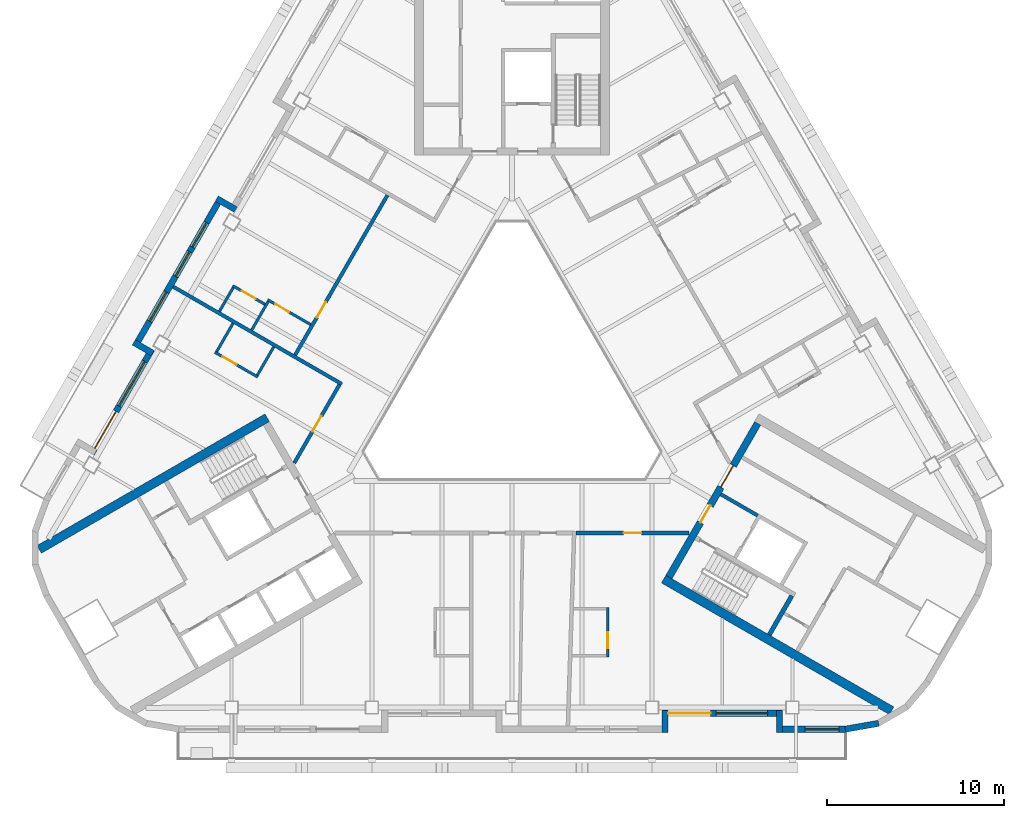
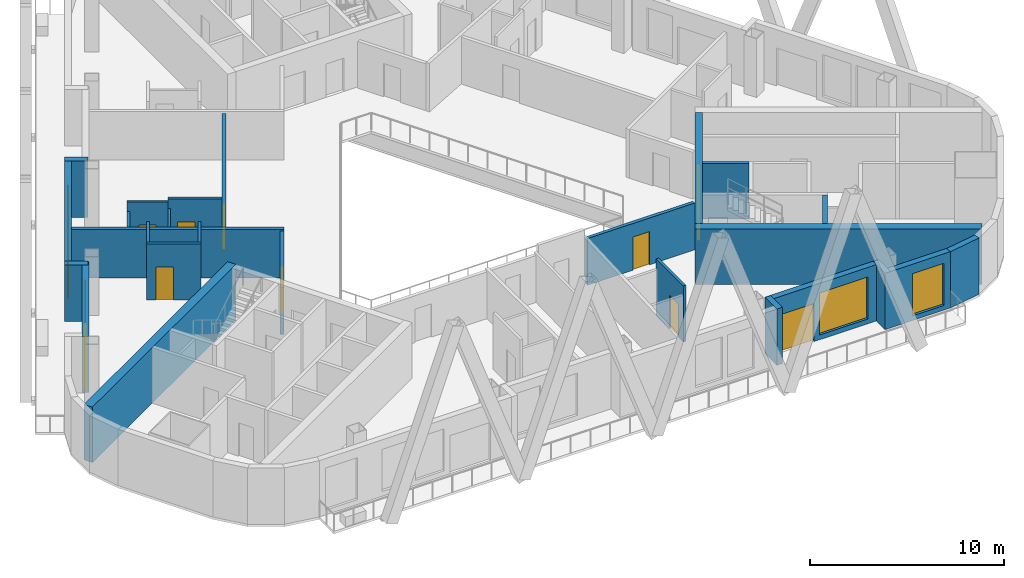
# One storey, part 4 of 14: 26 walls, 11 doors, 6 windows, 17 openings.
"""IFC4 building model written with IfcOpenShell, lengths in metres."""

from ifc_helpers import new_model, si_unit, direction, frame, frame_2d, origin, place, context, subcontext, project, spatial, rectangle, extrude, material, layer, layer_set, type_object, element, fill, save


model = new_model("IFC4")

# Units and contexts
model_context = context("Model", 3, precision=1e-05, world=origin(), true_north=direction((0.0, 1.0)))
body_context = subcontext(model_context, "Body", "Model", "MODEL_VIEW")
ifc_project = project(units=[si_unit("LENGTHUNIT", "METRE"), si_unit("AREAUNIT", "SQUARE_METRE"), si_unit("VOLUMEUNIT", "CUBIC_METRE"), si_unit("PLANEANGLEUNIT", "RADIAN"), si_unit("MASSUNIT", "GRAM", prefix="KILO")], contexts=[model_context])

# Site, building, storey
site_placement = place(None, origin())
site = spatial("IfcSite", under=ifc_project, at=site_placement, CompositionType="ELEMENT")
building_placement = place(site_placement, origin())
building = spatial("IfcBuilding", under=site, at=building_placement, Name="Apuvela Tower Hotel", CompositionType="ELEMENT")
storey_placement = place(building_placement, frame((0.0, 0.0, 213.199951171875)))
storey = spatial("IfcBuildingStorey", under=building, at=storey_placement, Name="L52", CompositionType="ELEMENT", Elevation=213.199951171875)

# Wall, openings, doors
ifc_material_1 = material(Name="Concrete C50/60", Category="concrete")
ifc_layer_1 = layer(ifc_material_1, 0.39990234375)
ifc_layer_set_1 = layer_set([ifc_layer_1], Name="COR-WALL-CORE-400")
wall_type_1 = type_object("IfcWallType", Name="COR-WALL-CORE-400", PredefinedType="SHEAR", material=ifc_layer_set_1)
wall_1_placement = place(storey_placement, frame((8.844970703125, -10.880126953125, 0.0), z_axis=(0.0, 0.0, 1.0), x_axis=(0.500004234368, 0.866022959057, 0.0)))
wall_1 = element("IfcWall", 1, at=wall_1_placement, inside=storey, type_object=wall_type_1, Name="Core wall SE", PredefinedType="SHEAR", context=body_context, shape_type="SweptSolid", body=[
    extrude(rectangle(XDim=10.0, YDim=0.39990234375, at=frame_2d((5.0, 0.0))), origin(), (0.0, 0.0, 1.0), 3.5),
])
opening_1_placement = place(wall_1_placement, frame((3.550048828125, 0.0, 0.0)))
opening_1 = element("IfcOpeningElement", 2, at=opening_1_placement, cuts=wall_1, Name="Opening E-FD", PredefinedType="OPENING", context=body_context, shape_type="SweptSolid", body=[
    extrude(rectangle(XDim=1.10009765625, YDim=2.10009765625, at=frame_2d((0.550048828125, 1.050048828125))), frame((0.0, 0.2099609375, 0.0), z_axis=(0.0, -1.0, 0.0), x_axis=(1.0, 0.0, 0.0)), (0.0, 0.0, 1.0), 0.419921875),
])
opening_2_placement = place(wall_1_placement, frame((5.85009765625, 0.0, 0.0)))
opening_2 = element("IfcOpeningElement", 3, at=opening_2_placement, cuts=wall_1, Name="Opening E-GD", PredefinedType="OPENING", context=body_context, shape_type="SweptSolid", body=[
    extrude(rectangle(XDim=1.39990234375, YDim=2.10009765625, at=frame_2d((0.699951171875, 1.050048828125))), frame((0.0, 0.2099609375, 0.0), z_axis=(0.0, -1.0, 0.0), x_axis=(1.0, 0.0, 0.0)), (0.0, 0.0, 1.0), 0.419921875),
])
ifc_material_2 = material(Name="Steel fire door, powder coated", Category="steel")
door_type_1 = type_object("IfcDoorType", Name="COR-FD-1100", OperationType="NOTDEFINED", PredefinedType="DOOR", material=ifc_material_2)
door_1_placement = place(opening_1_placement, frame((1.10009765625, 0.0, 0.0), z_axis=(0.0, 0.0, 1.0), x_axis=(-1.0, 0.0, 0.0)))
door_1 = element("IfcDoor", 4, at=door_1_placement, inside=storey, type_object=door_type_1, Name="Firefighting lobby door E-FD", OperationType="SINGLE_SWING_LEFT", OverallHeight=2.10009765625, OverallWidth=1.10009765625, PredefinedType="DOOR", context=body_context, shape_type="SweptSolid", body=[
    extrude(rectangle(XDim=1.10009765625, YDim=2.10009765625, at=frame_2d((0.550048828125, 1.050048828125))), frame((0.0, 0.02490234375, 0.0), z_axis=(0.0, -1.0, 0.0), x_axis=(1.0, 0.0, 0.0)), (0.0, 0.0, 1.0), 0.050048828125),
])
fill(opening_1, door_1)
ifc_material_3 = material(Name="Glazed steel fire door", Category="steel")
door_type_2 = type_object("IfcDoorType", Name="COR-GD-1400", OperationType="DOUBLE_DOOR_SINGLE_SWING", PredefinedType="DOOR", material=ifc_material_3)
door_2_placement = place(opening_2_placement, frame((1.39990234375, 0.0, 0.0), z_axis=(0.0, 0.0, 1.0), x_axis=(-1.0, 0.0, 0.0)))
door_2 = element("IfcDoor", 5, at=door_2_placement, inside=storey, type_object=door_type_2, Name="Lift lobby door E-GD", OperationType="DOUBLE_DOOR_SINGLE_SWING", OverallHeight=2.10009765625, OverallWidth=1.39990234375, PredefinedType="DOOR", context=body_context, shape_type="SweptSolid", body=[
    extrude(rectangle(XDim=1.39990234375, YDim=2.10009765625, at=frame_2d((0.699951171875, 1.050048828125))), frame((0.0, 0.02490234375, 0.0), z_axis=(0.0, -1.0, 0.0), x_axis=(1.0, 0.0, 0.0)), (0.0, 0.0, 1.0), 0.050048828125),
])
fill(opening_2, door_2)

# Walls
ifc_layer_2 = layer(ifc_material_1, 0.5)
ifc_layer_set_2 = layer_set([ifc_layer_2], Name="COR-WALL-CORE-500")
wall_type_2 = type_object("IfcWallType", Name="COR-WALL-CORE-500", PredefinedType="SHEAR", material=ifc_layer_set_2)
for number, where, z_axis, x_axis, name in (
    (6, (-13.796630859375, -1.9033203125, 0.0), (0.0, 0.0, 1.0), (-0.866025009528, -0.500000682871, 0.0), "Core wall SW"),
    (7, (8.546630859375, -10.99658203125, 0.0), (0.0, 0.0, 1.0), (0.866025009528, -0.500000682871, 0.0), "Core wall SE"),
):
    element("IfcWall", number, at=place(storey_placement, frame(where, z_axis=z_axis, x_axis=x_axis)), inside=storey, type_object=wall_type_2, Name=name, PredefinedType="SHEAR", context=body_context, shape_type="SweptSolid", body=[
        extrude(rectangle(XDim=14.8369140625, YDim=0.5, at=frame_2d((7.41845703125, 0.0))), origin(), (0.0, 0.0, 1.0), 3.5),
    ])
ifc_layer_3 = layer(ifc_material_1, 0.199951171875)
ifc_layer_set_3 = layer_set([ifc_layer_3], Name="COR-WALL-SHAFT-200")
wall_type_3 = type_object("IfcWallType", Name="COR-WALL-SHAFT-200", PredefinedType="SHEAR", material=ifc_layer_set_3)
wall_2_placement = place(storey_placement, frame((11.76806640625, -6.217041015625, 0.0), z_axis=(0.0, 0.0, 1.0), x_axis=(0.866050077142, -0.499957262057, 0.0)))
element("IfcWall", 8, at=wall_2_placement, inside=storey, type_object=wall_type_3, Name="Shaft wall SE", PredefinedType="SHEAR", context=body_context, shape_type="SweptSolid", body=[
    extrude(rectangle(XDim=2.400146484375, YDim=0.199951171875, at=frame_2d((1.2001953125, 0.0))), origin(), (0.0, 0.0, 1.0), 3.5),
])
ifc_layer_4 = layer(ifc_material_1, 0.25)
ifc_layer_set_4 = layer_set([ifc_layer_4], Name="COR-WALL-STAIR-250")
wall_type_4 = type_object("IfcWallType", Name="COR-WALL-STAIR-250", PredefinedType="SHEAR", material=ifc_layer_set_4)
wall_3_placement = place(storey_placement, frame((14.49560546875, -14.142578125, 0.0), z_axis=(0.0, 0.0, 1.0), x_axis=(0.500062241894, 0.865989465428, 0.0)))
element("IfcWall", 9, at=wall_3_placement, inside=storey, type_object=wall_type_4, Name="Stair wall SE", PredefinedType="SHEAR", context=body_context, shape_type="SweptSolid", body=[
    extrude(rectangle(XDim=2.550048828125, YDim=0.25, at=frame_2d((1.27490234375, 0.0))), origin(), (0.0, 0.0, 1.0), 3.5),
])
ifc_material_4 = material(Name="Concrete C40/50, dark pigmented precast panel", Category="concrete")
ifc_layer_5 = layer(ifc_material_4, 0.35009765625)
ifc_layer_set_5 = layer_set([ifc_layer_5], Name="ENV-WALL-350")
wall_type_5 = type_object("IfcWallType", Name="ENV-WALL-350", PredefinedType="SOLIDWALL", material=ifc_layer_set_5)
wall_4_placement = place(storey_placement, frame((-15.580810546875, 9.8330078125, 0.0), z_axis=(0.0, 0.0, 1.0), x_axis=(-0.866055662726, 0.499947586314, 0.0)))
element("IfcWall", 10, at=wall_4_placement, inside=storey, type_object=wall_type_5, Name="External wall L52-04", PredefinedType="SOLIDWALL", context=body_context, shape_type="SweptSolid", body=[
    extrude(rectangle(XDim=1.220458984375, YDim=0.35009765625, at=frame_2d((0.6103515625, 0.0))), origin(), (0.0, 0.0, 1.0), 3.550048828125),
])

# Wall, openings, windows
wall_5_placement = place(storey_placement, frame((-16.3984375, 10.507080078125, 0.0), z_axis=(0.0, 0.0, 1.0), x_axis=(-0.499999142773, -0.866025898704, 0.0)))
wall_5 = element("IfcWall", 11, at=wall_5_placement, inside=storey, type_object=wall_type_5, Name="External wall L52-05", PredefinedType="SOLIDWALL", context=body_context, shape_type="SweptSolid", body=[
    extrude(rectangle(XDim=9.7001953125, YDim=0.35009765625, at=frame_2d((4.85009765625, 0.0))), origin(), (0.0, 0.0, 1.0), 3.550048828125),
])
opening_3_placement = place(wall_5_placement, frame((1.625, 0.0, 0.300048828125)))
opening_3 = element("IfcOpeningElement", 12, at=opening_3_placement, cuts=wall_5, Name="Opening WN16", PredefinedType="OPENING", context=body_context, shape_type="SweptSolid", body=[
    extrude(rectangle(XDim=1.60009765625, YDim=2.64990234375, at=frame_2d((0.800048828125, 1.324951171875))), frame((0.0, 0.18505859375, 0.0), z_axis=(0.0, -1.0, 0.0), x_axis=(1.0, 0.0, 0.0)), (0.0, 0.0, 1.0), 0.3701171875),
])
opening_4_placement = place(wall_5_placement, frame((3.525146484375, 0.0, 0.300048828125)))
opening_4 = element("IfcOpeningElement", 13, at=opening_4_placement, cuts=wall_5, Name="Opening WN16", PredefinedType="OPENING", context=body_context, shape_type="SweptSolid", body=[
    extrude(rectangle(XDim=1.60009765625, YDim=2.64990234375, at=frame_2d((0.800048828125, 1.324951171875))), frame((0.0, 0.18505859375, 0.0), z_axis=(0.0, -1.0, 0.0), x_axis=(1.0, 0.0, 0.0)), (0.0, 0.0, 1.0), 0.3701171875),
])
opening_5_placement = place(wall_5_placement, frame((6.14990234375, 0.0, 0.300048828125)))
opening_5 = element("IfcOpeningElement", 14, at=opening_5_placement, cuts=wall_5, Name="Opening WN19", PredefinedType="OPENING", context=body_context, shape_type="SweptSolid", body=[
    extrude(rectangle(XDim=1.89990234375, YDim=2.64990234375, at=frame_2d((0.949951171875, 1.324951171875))), frame((0.0, 0.18505859375, 0.0), z_axis=(0.0, -1.0, 0.0), x_axis=(1.0, 0.0, 0.0)), (0.0, 0.0, 1.0), 0.3701171875),
])
ifc_material_5 = material(Name="Glass, dark tinted laminated insulated glazing unit", Category="glass")
window_type_1 = type_object("IfcWindowType", Name="ENV-WIN-1600x2650", PartitioningType="SINGLE_PANEL", PredefinedType="WINDOW", material=ifc_material_5)
window_1_placement = place(opening_3_placement, origin())
window_1 = element("IfcWindow", 15, at=window_1_placement, inside=storey, type_object=window_type_1, Name="Window WN16", OverallHeight=2.64990234375, OverallWidth=1.60009765625, PartitioningType="SINGLE_PANEL", PredefinedType="WINDOW", context=body_context, shape_type="SweptSolid", body=[
    extrude(rectangle(XDim=1.60009765625, YDim=2.64990234375, at=frame_2d((0.800048828125, 1.324951171875))), frame((0.0, 0.030029296875, 0.0), z_axis=(0.0, -1.0, 0.0), x_axis=(1.0, 0.0, 0.0)), (0.0, 0.0, 1.0), 0.06005859375),
])
fill(opening_3, window_1)
window_2_placement = place(opening_4_placement, origin())
window_2 = element("IfcWindow", 16, at=window_2_placement, inside=storey, type_object=window_type_1, Name="Window WN16", OverallHeight=2.64990234375, OverallWidth=1.60009765625, PartitioningType="SINGLE_PANEL", PredefinedType="WINDOW", context=body_context, shape_type="SweptSolid", body=[
    extrude(rectangle(XDim=1.60009765625, YDim=2.64990234375, at=frame_2d((0.800048828125, 1.324951171875))), frame((0.0, 0.030029296875, 0.0), z_axis=(0.0, -1.0, 0.0), x_axis=(1.0, 0.0, 0.0)), (0.0, 0.0, 1.0), 0.06005859375),
])
fill(opening_4, window_2)
window_type_2 = type_object("IfcWindowType", Name="ENV-WIN-1900x2650", PartitioningType="SINGLE_PANEL", PredefinedType="WINDOW", material=ifc_material_5)
window_3_placement = place(opening_5_placement, origin())
window_3 = element("IfcWindow", 17, at=window_3_placement, inside=storey, type_object=window_type_2, Name="Window WN19", OverallHeight=2.64990234375, OverallWidth=1.89990234375, PartitioningType="SINGLE_PANEL", PredefinedType="WINDOW", context=body_context, shape_type="SweptSolid", body=[
    extrude(rectangle(XDim=1.89990234375, YDim=2.64990234375, at=frame_2d((0.949951171875, 1.324951171875))), frame((0.0, 0.030029296875, 0.0), z_axis=(0.0, -1.0, 0.0), x_axis=(1.0, 0.0, 0.0)), (0.0, 0.0, 1.0), 0.06005859375),
])
fill(opening_5, window_3)

# Wall
wall_6_placement = place(storey_placement, frame((-21.3125, 2.345703125, 0.0), z_axis=(0.0, 0.0, 1.0), x_axis=(0.866005645448, -0.500034220881, 0.0)))
element("IfcWall", 18, at=wall_6_placement, inside=storey, type_object=wall_type_5, Name="External wall L52-06", PredefinedType="SOLIDWALL", context=body_context, shape_type="SweptSolid", body=[
    extrude(rectangle(XDim=1.22021484375, YDim=0.35009765625, at=frame_2d((0.610107421875, 0.0))), origin(), (0.0, 0.0, 1.0), 3.550048828125),
])

# Wall, openings, door, window
wall_7_placement = place(storey_placement, frame((-20.30908203125, 1.93359375, 0.0), z_axis=(0.0, 0.0, 1.0), x_axis=(-0.499992114976, -0.866029956157, 0.0)))
wall_7 = element("IfcWall", 19, at=wall_7_placement, inside=storey, type_object=wall_type_5, Name="External wall L52-07", PredefinedType="SOLIDWALL", context=body_context, shape_type="SweptSolid", body=[
    extrude(rectangle(XDim=6.73974609375, YDim=0.35009765625, at=frame_2d((3.369873046875, 0.0))), origin(), (0.0, 0.0, 1.0), 3.550048828125),
])
opening_6_placement = place(wall_7_placement, frame((4.02001953125, 0.0, 0.0)))
opening_6 = element("IfcOpeningElement", 20, at=opening_6_placement, cuts=wall_7, Name="Opening BD24", PredefinedType="OPENING", context=body_context, shape_type="SweptSolid", body=[
    extrude(rectangle(XDim=2.39990234375, YDim=2.39990234375, at=frame_2d((1.199951171875, 1.199951171875))), frame((0.0, 0.18505859375, 0.0), z_axis=(0.0, -1.0, 0.0), x_axis=(1.0, 0.0, 0.0)), (0.0, 0.0, 1.0), 0.3701171875),
])
opening_7_placement = place(wall_7_placement, frame((0.77001953125, 0.0, 0.300048828125)))
opening_7 = element("IfcOpeningElement", 21, at=opening_7_placement, cuts=wall_7, Name="Opening WN29", PredefinedType="OPENING", context=body_context, shape_type="SweptSolid", body=[
    extrude(rectangle(XDim=2.89990234375, YDim=2.64990234375, at=frame_2d((1.449951171875, 1.324951171875))), frame((0.0, 0.18505859375, 0.0), z_axis=(0.0, -1.0, 0.0), x_axis=(1.0, 0.0, 0.0)), (0.0, 0.0, 1.0), 0.3701171875),
])
ifc_material_6 = material(Name="Aluminium 6063-T6, dark bronze anodised frame with dark tinted laminated glass", Category="aluminium")
door_type_3 = type_object("IfcDoorType", Name="ENV-DOOR-BALCONY-2400x2400", OperationType="SLIDING_TO_LEFT", PredefinedType="DOOR", material=ifc_material_6)
door_3_placement = place(opening_6_placement, frame((2.39990234375, 0.0, 0.0), z_axis=(0.0, 0.0, 1.0), x_axis=(-1.0, 0.0, 0.0)))
door_3 = element("IfcDoor", 22, at=door_3_placement, inside=storey, type_object=door_type_3, Name="Balcony door BD24", OperationType="SLIDING_TO_LEFT", OverallHeight=2.39990234375, OverallWidth=2.39990234375, PredefinedType="DOOR", context=body_context, shape_type="SweptSolid", body=[
    extrude(rectangle(XDim=2.39990234375, YDim=2.39990234375, at=frame_2d((1.199951171875, 1.199951171875))), frame((0.0, 0.02490234375, 0.0), z_axis=(0.0, -1.0, 0.0), x_axis=(1.0, 0.0, 0.0)), (0.0, 0.0, 1.0), 0.050048828125),
])
fill(opening_6, door_3)
window_type_3 = type_object("IfcWindowType", Name="ENV-WIN-2900x2650", PartitioningType="SINGLE_PANEL", PredefinedType="WINDOW", material=ifc_material_5)
window_4_placement = place(opening_7_placement, origin())
window_4 = element("IfcWindow", 23, at=window_4_placement, inside=storey, type_object=window_type_3, Name="Window WN29", OverallHeight=2.64990234375, OverallWidth=2.89990234375, PartitioningType="SINGLE_PANEL", PredefinedType="WINDOW", context=body_context, shape_type="SweptSolid", body=[
    extrude(rectangle(XDim=2.89990234375, YDim=2.64990234375, at=frame_2d((1.449951171875, 1.324951171875))), frame((0.0, 0.030029296875, 0.0), z_axis=(0.0, -1.0, 0.0), x_axis=(1.0, 0.0, 0.0)), (0.0, 0.0, 1.0), 0.06005859375),
])
fill(opening_7, window_4)

# Wall
wall_8_placement = place(storey_placement, frame((8.625, -19.6298828125, 0.0), z_axis=(0.0, 0.0, 1.0), x_axis=(0.0, 1.0, 0.0)))
element("IfcWall", 24, at=wall_8_placement, inside=storey, type_object=wall_type_5, Name="External wall L52-22", PredefinedType="SOLIDWALL", context=body_context, shape_type="SweptSolid", body=[
    extrude(rectangle(XDim=1.219970703125, YDim=0.35009765625, at=frame_2d((0.60986328125, 0.0))), origin(), (0.0, 0.0, 1.0), 3.550048828125),
])

# Wall, openings, door, window
wall_9_placement = place(storey_placement, frame((8.47998046875, -18.554931640625, 0.0), z_axis=(0.0, 0.0, 1.0), x_axis=(1.0, 0.0, 0.0)))
wall_9 = element("IfcWall", 25, at=wall_9_placement, inside=storey, type_object=wall_type_5, Name="External wall L52-23", PredefinedType="SOLIDWALL", context=body_context, shape_type="SweptSolid", body=[
    extrude(rectangle(XDim=6.739990234375, YDim=0.35009765625, at=frame_2d((3.3701171875, 0.0))), origin(), (0.0, 0.0, 1.0), 3.550048828125),
])
opening_8_placement = place(wall_9_placement, frame((0.3203125, 0.0, 0.0)))
opening_8 = element("IfcOpeningElement", 26, at=opening_8_placement, cuts=wall_9, Name="Opening BD24", PredefinedType="OPENING", context=body_context, shape_type="SweptSolid", body=[
    extrude(rectangle(XDim=2.39990234375, YDim=2.39990234375, at=frame_2d((1.199951171875, 1.199951171875))), frame((0.0, 0.18505859375, 0.0), z_axis=(0.0, -1.0, 0.0), x_axis=(1.0, 0.0, 0.0)), (0.0, 0.0, 1.0), 0.3701171875),
])
opening_9_placement = place(wall_9_placement, frame((3.020263671875, 0.0, 0.300048828125)))
opening_9 = element("IfcOpeningElement", 27, at=opening_9_placement, cuts=wall_9, Name="Opening WN29", PredefinedType="OPENING", context=body_context, shape_type="SweptSolid", body=[
    extrude(rectangle(XDim=2.89990234375, YDim=2.64990234375, at=frame_2d((1.449951171875, 1.324951171875))), frame((0.0, 0.18505859375, 0.0), z_axis=(0.0, -1.0, 0.0), x_axis=(1.0, 0.0, 0.0)), (0.0, 0.0, 1.0), 0.3701171875),
])
door_4_placement = place(opening_8_placement, frame((2.39990234375, 0.0, 0.0), z_axis=(0.0, 0.0, 1.0), x_axis=(-1.0, 0.0, 0.0)))
door_4 = element("IfcDoor", 28, at=door_4_placement, inside=storey, type_object=door_type_3, Name="Balcony door BD24", OperationType="SLIDING_TO_LEFT", OverallHeight=2.39990234375, OverallWidth=2.39990234375, PredefinedType="DOOR", context=body_context, shape_type="SweptSolid", body=[
    extrude(rectangle(XDim=2.39990234375, YDim=2.39990234375, at=frame_2d((1.199951171875, 1.199951171875))), frame((0.0, 0.02490234375, 0.0), z_axis=(0.0, -1.0, 0.0), x_axis=(1.0, 0.0, 0.0)), (0.0, 0.0, 1.0), 0.050048828125),
])
fill(opening_8, door_4)
window_5_placement = place(opening_9_placement, origin())
window_5 = element("IfcWindow", 29, at=window_5_placement, inside=storey, type_object=window_type_3, Name="Window WN29", OverallHeight=2.64990234375, OverallWidth=2.89990234375, PartitioningType="SINGLE_PANEL", PredefinedType="WINDOW", context=body_context, shape_type="SweptSolid", body=[
    extrude(rectangle(XDim=2.89990234375, YDim=2.64990234375, at=frame_2d((1.449951171875, 1.324951171875))), frame((0.0, 0.030029296875, 0.0), z_axis=(0.0, -1.0, 0.0), x_axis=(1.0, 0.0, 0.0)), (0.0, 0.0, 1.0), 0.06005859375),
])
fill(opening_9, window_5)

# Wall
wall_10_placement = place(storey_placement, frame((15.074951171875, -18.409912109375, 0.0), z_axis=(0.0, 0.0, 1.0), x_axis=(0.0, -1.0, 0.0)))
element("IfcWall", 30, at=wall_10_placement, inside=storey, type_object=wall_type_5, Name="External wall L52-24", PredefinedType="SOLIDWALL", context=body_context, shape_type="SweptSolid", body=[
    extrude(rectangle(XDim=1.219970703125, YDim=0.35009765625, at=frame_2d((0.60986328125, 0.0))), origin(), (0.0, 0.0, 1.0), 3.550048828125),
])

# Wall, opening, window
wall_11_placement = place(storey_placement, frame((14.89990234375, -19.455078125, 0.0), z_axis=(0.0, 0.0, 1.0), x_axis=(1.0, 0.0, 0.0)))
wall_11 = element("IfcWall", 31, at=wall_11_placement, inside=storey, type_object=wall_type_5, Name="External wall L52-25", PredefinedType="SOLIDWALL", context=body_context, shape_type="SweptSolid", body=[
    extrude(rectangle(XDim=3.916015625, YDim=0.35009765625, at=frame_2d((1.9580078125, 0.0))), origin(), (0.0, 0.0, 1.0), 3.550048828125),
])
opening_10_placement = place(wall_11_placement, frame((1.624755859375, 0.0, 0.300048828125)))
opening_10 = element("IfcOpeningElement", 32, at=opening_10_placement, cuts=wall_11, Name="Opening WN19", PredefinedType="OPENING", context=body_context, shape_type="SweptSolid", body=[
    extrude(rectangle(XDim=1.89990234375, YDim=2.64990234375, at=frame_2d((0.949951171875, 1.324951171875))), frame((0.0, 0.18505859375, 0.0), z_axis=(0.0, -1.0, 0.0), x_axis=(1.0, 0.0, 0.0)), (0.0, 0.0, 1.0), 0.3701171875),
])
window_6_placement = place(opening_10_placement, origin())
window_6 = element("IfcWindow", 33, at=window_6_placement, inside=storey, type_object=window_type_2, Name="Window WN19", OverallHeight=2.64990234375, OverallWidth=1.89990234375, PartitioningType="SINGLE_PANEL", PredefinedType="WINDOW", context=body_context, shape_type="SweptSolid", body=[
    extrude(rectangle(XDim=1.89990234375, YDim=2.64990234375, at=frame_2d((0.949951171875, 1.324951171875))), frame((0.0, 0.030029296875, 0.0), z_axis=(0.0, -1.0, 0.0), x_axis=(1.0, 0.0, 0.0)), (0.0, 0.0, 1.0), 0.06005859375),
])
fill(opening_10, window_6)

# Walls
wall_12_placement = place(storey_placement, frame((18.785400390625, -19.457763671875, 0.0), z_axis=(0.0, 0.0, 1.0), x_axis=(0.984798995425, 0.173697837091, 0.0)))
element("IfcWall", 34, at=wall_12_placement, inside=storey, type_object=wall_type_5, Name="External wall L52-26", PredefinedType="SOLIDWALL", context=body_context, shape_type="SweptSolid", body=[
    extrude(rectangle(XDim=1.91015625, YDim=0.35009765625, at=frame_2d((0.955078125, 0.0))), origin(), (0.0, 0.0, 1.0), 3.550048828125),
])
ifc_material_7 = material(Name="Gypsum board partition on twin steel stud", Category="steel")
ifc_layer_6 = layer(ifc_material_7, 0.199951171875)
ifc_layer_set_6 = layer_set([ifc_layer_6], Name="GST-PW1")
wall_type_6 = type_object("IfcWallType", Name="GST-PW1", PredefinedType="PARTITIONING", material=ifc_layer_set_6)
wall_13_placement = place(storey_placement, frame((-19.096923828125, 5.483154296875, 0.0), z_axis=(0.0, 0.0, 1.0), x_axis=(0.866027479907, -0.499996404033, 0.0)))
element("IfcWall", 35, at=wall_13_placement, inside=storey, type_object=wall_type_6, Name="L52 partition 06", PredefinedType="PARTITIONING", context=body_context, shape_type="SweptSolid", body=[
    extrude(rectangle(XDim=10.97998046875, YDim=0.199951171875, at=frame_2d((5.489990234375, 0.0))), origin(), (0.0, 0.0, 1.0), 3.06005859375),
])

# Wall, opening, door
ifc_material_8 = material(Name="Gypsum board corridor wall on twin steel stud, acoustic", Category="steel")
ifc_layer_7 = layer(ifc_material_8, 0.199951171875)
ifc_layer_set_7 = layer_set([ifc_layer_7], Name="GST-PW2")
wall_type_7 = type_object("IfcWallType", Name="GST-PW2", PredefinedType="PARTITIONING", material=ifc_layer_set_7)
wall_14_placement = place(storey_placement, frame((9.98828125, -8.39990234375, 0.0), z_axis=(0.0, 0.0, 1.0), x_axis=(-1.0, 0.0, 0.0)))
wall_14 = element("IfcWall", 36, at=wall_14_placement, inside=storey, type_object=wall_type_7, Name="L52 partition 14", PredefinedType="PARTITIONING", context=body_context, shape_type="SweptSolid", body=[
    extrude(rectangle(XDim=6.385009765625, YDim=0.199951171875, at=frame_2d((3.1923828125, 0.0))), origin(), (0.0, 0.0, 1.0), 2.949951171875),
])
opening_11_placement = place(wall_14_placement, frame((2.6923828125, 0.0, 0.0)))
opening_11 = element("IfcOpeningElement", 37, at=opening_11_placement, cuts=wall_14, Name="Opening GD20-06", PredefinedType="OPENING", context=body_context, shape_type="SweptSolid", body=[
    extrude(rectangle(XDim=1.0, YDim=2.10009765625, at=frame_2d((0.5, 1.050048828125))), frame((0.0, 0.10986328125, 0.0), z_axis=(0.0, -1.0, 0.0), x_axis=(1.0, 0.0, 0.0)), (0.0, 0.0, 1.0), 0.219970703125),
])
ifc_material_9 = material(Name="Timber door leaf in steel frame", Category="steel")
door_type_4 = type_object("IfcDoorType", Name="GST-D1", OperationType="NOTDEFINED", PredefinedType="DOOR", material=ifc_material_9)
door_5_placement = place(opening_11_placement, origin())
door_5 = element("IfcDoor", 38, at=door_5_placement, inside=storey, type_object=door_type_4, Name="Door L52-06", OperationType="SINGLE_SWING_RIGHT", OverallHeight=2.10009765625, OverallWidth=1.0, PredefinedType="DOOR", context=body_context, shape_type="SweptSolid", body=[
    extrude(rectangle(XDim=1.0, YDim=2.10009765625, at=frame_2d((0.5, 1.050048828125))), frame((0.0, 0.02490234375, 0.0), z_axis=(0.0, -1.0, 0.0), x_axis=(1.0, 0.0, 0.0)), (0.0, 0.0, 1.0), 0.050048828125),
])
fill(opening_11, door_5)

wall_15_placement = place(storey_placement, frame((-12.22265625, 1.629638671875, 0.0), z_axis=(0.0, 0.0, 1.0), x_axis=(0.499999493275, 0.866025696342, 0.0)))
wall_15 = element("IfcWall", 39, at=wall_15_placement, inside=storey, type_object=wall_type_7, Name="L52 partition 35", PredefinedType="PARTITIONING", context=body_context, shape_type="SweptSolid", body=[
    extrude(rectangle(XDim=10.39990234375, YDim=0.199951171875, at=frame_2d((5.199951171875, 0.0))), origin(), (0.0, 0.0, 1.0), 2.949951171875),
])
opening_12_placement = place(wall_15_placement, frame((2.449951171875, 0.0, 0.0)))
opening_12 = element("IfcOpeningElement", 40, at=opening_12_placement, cuts=wall_15, Name="Opening GD20-18", PredefinedType="OPENING", context=body_context, shape_type="SweptSolid", body=[
    extrude(rectangle(XDim=1.0, YDim=2.10009765625, at=frame_2d((0.5, 1.050048828125))), frame((0.0, 0.10986328125, 0.0), z_axis=(0.0, -1.0, 0.0), x_axis=(1.0, 0.0, 0.0)), (0.0, 0.0, 1.0), 0.219970703125),
])
door_6_placement = place(opening_12_placement, origin())
door_6 = element("IfcDoor", 41, at=door_6_placement, inside=storey, type_object=door_type_4, Name="Door L52-18", OperationType="SINGLE_SWING_RIGHT", OverallHeight=2.10009765625, OverallWidth=1.0, PredefinedType="DOOR", context=body_context, shape_type="SweptSolid", body=[
    extrude(rectangle(XDim=1.0, YDim=2.10009765625, at=frame_2d((0.5, 1.050048828125))), frame((0.0, 0.02490234375, 0.0), z_axis=(0.0, -1.0, 0.0), x_axis=(1.0, 0.0, 0.0)), (0.0, 0.0, 1.0), 0.050048828125),
])
fill(opening_12, door_6)

wall_16_placement = place(storey_placement, frame((-12.268798828125, -4.449951171875, 0.0), z_axis=(0.0, 0.0, 1.0), x_axis=(0.500014573982, 0.866016989329, 0.0)))
wall_16 = element("IfcWall", 42, at=wall_16_placement, inside=storey, type_object=wall_type_7, Name="L52 partition 40", PredefinedType="PARTITIONING", context=body_context, shape_type="SweptSolid", body=[
    extrude(rectangle(XDim=5.088134765625, YDim=0.199951171875, at=frame_2d((2.5439453125, 0.0))), origin(), (0.0, 0.0, 1.0), 2.949951171875),
])
opening_13_placement = place(wall_16_placement, frame((2.044189453125, 0.0, 0.0)))
opening_13 = element("IfcOpeningElement", 43, at=opening_13_placement, cuts=wall_16, Name="Opening GD20-20", PredefinedType="OPENING", context=body_context, shape_type="SweptSolid", body=[
    extrude(rectangle(XDim=1.0, YDim=2.10009765625, at=frame_2d((0.5, 1.050048828125))), frame((0.0, 0.10986328125, 0.0), z_axis=(0.0, -1.0, 0.0), x_axis=(1.0, 0.0, 0.0)), (0.0, 0.0, 1.0), 0.219970703125),
])
door_7_placement = place(opening_13_placement, origin())
door_7 = element("IfcDoor", 44, at=door_7_placement, inside=storey, type_object=door_type_4, Name="Door L52-20", OperationType="SINGLE_SWING_RIGHT", OverallHeight=2.10009765625, OverallWidth=1.0, PredefinedType="DOOR", context=body_context, shape_type="SweptSolid", body=[
    extrude(rectangle(XDim=1.0, YDim=2.10009765625, at=frame_2d((0.5, 1.050048828125))), frame((0.0, 0.02490234375, 0.0), z_axis=(0.0, -1.0, 0.0), x_axis=(1.0, 0.0, 0.0)), (0.0, 0.0, 1.0), 0.050048828125),
])
fill(opening_13, door_7)

ifc_material_10 = material(Name="Moisture-resistant gypsum board wet wall on steel stud", Category="steel")
ifc_layer_8 = layer(ifc_material_10, 0.14990234375)
ifc_layer_set_8 = layer_set([ifc_layer_8], Name="GST-PW3")
wall_type_8 = type_object("IfcWallType", Name="GST-PW3", PredefinedType="PARTITIONING", material=ifc_layer_set_8)
wall_17_placement = place(storey_placement, frame((5.391845703125, -15.39990234375, 0.0), z_axis=(0.0, 0.0, 1.0), x_axis=(0.0, 1.0, 0.0)))
wall_17 = element("IfcWall", 45, at=wall_17_placement, inside=storey, type_object=wall_type_8, Name="L52 partition 15", PredefinedType="PARTITIONING", context=body_context, shape_type="SweptSolid", body=[
    extrude(rectangle(XDim=2.7998046875, YDim=0.14990234375, at=frame_2d((1.39990234375, 0.0))), origin(), (0.0, 0.0, 1.0), 3.550048828125),
])
opening_14_placement = place(wall_17_placement, frame((0.5, 0.0, 0.0)))
opening_14 = element("IfcOpeningElement", 46, at=opening_14_placement, cuts=wall_17, Name="Opening GD20-05", PredefinedType="OPENING", context=body_context, shape_type="SweptSolid", body=[
    extrude(rectangle(XDim=0.89990234375, YDim=2.10009765625, at=frame_2d((0.449951171875, 1.050048828125))), frame((0.0, 0.0849609375, 0.0), z_axis=(0.0, -1.0, 0.0), x_axis=(1.0, 0.0, 0.0)), (0.0, 0.0, 1.0), 0.169921875),
])
door_type_5 = type_object("IfcDoorType", Name="GST-D2", OperationType="NOTDEFINED", PredefinedType="DOOR", material=ifc_material_9)
door_8_placement = place(opening_14_placement, origin())
door_8 = element("IfcDoor", 47, at=door_8_placement, inside=storey, type_object=door_type_5, Name="Door L52-05", OperationType="SINGLE_SWING_LEFT", OverallHeight=2.10009765625, OverallWidth=0.89990234375, PredefinedType="DOOR", context=body_context, shape_type="SweptSolid", body=[
    extrude(rectangle(XDim=0.89990234375, YDim=2.10009765625, at=frame_2d((0.449951171875, 1.050048828125))), frame((0.0, 0.02490234375, 0.0), z_axis=(0.0, -1.0, 0.0), x_axis=(1.0, 0.0, 0.0)), (0.0, 0.0, 1.0), 0.050048828125),
])
fill(opening_14, door_8)

wall_18_placement = place(storey_placement, frame((-11.3466796875, 3.3466796875, 0.0), z_axis=(0.0, 0.0, 1.0), x_axis=(-0.866018616679, 0.500011755427, 0.0)))
wall_18 = element("IfcWall", 48, at=wall_18_placement, inside=storey, type_object=wall_type_8, Name="L52 partition 36", PredefinedType="PARTITIONING", context=body_context, shape_type="SweptSolid", body=[
    extrude(rectangle(XDim=2.80029296875, YDim=0.14990234375, at=frame_2d((1.400146484375, 0.0))), origin(), (0.0, 0.0, 1.0), 3.550048828125),
])
opening_15_placement = place(wall_18_placement, frame((1.39990234375, 0.0, 0.0)))
opening_15 = element("IfcOpeningElement", 49, at=opening_15_placement, cuts=wall_18, Name="Opening GD20-16", PredefinedType="OPENING", context=body_context, shape_type="SweptSolid", body=[
    extrude(rectangle(XDim=0.89990234375, YDim=2.10009765625, at=frame_2d((0.449951171875, 1.050048828125))), frame((0.0, 0.0849609375, 0.0), z_axis=(0.0, -1.0, 0.0), x_axis=(1.0, 0.0, 0.0)), (0.0, 0.0, 1.0), 0.169921875),
])
door_9_placement = place(opening_15_placement, origin())
door_9 = element("IfcDoor", 50, at=door_9_placement, inside=storey, type_object=door_type_5, Name="Door L52-16", OperationType="SINGLE_SWING_RIGHT", OverallHeight=2.10009765625, OverallWidth=0.89990234375, PredefinedType="DOOR", context=body_context, shape_type="SweptSolid", body=[
    extrude(rectangle(XDim=0.89990234375, YDim=2.10009765625, at=frame_2d((0.449951171875, 1.050048828125))), frame((0.0, 0.02490234375, 0.0), z_axis=(0.0, -1.0, 0.0), x_axis=(1.0, 0.0, 0.0)), (0.0, 0.0, 1.0), 0.050048828125),
])
fill(opening_15, door_9)

# Wall
wall_19_placement = place(storey_placement, frame((-13.744140625, 4.644287109375, 0.0), z_axis=(0.0, 0.0, 1.0), x_axis=(-0.500042316284, -0.866000971088, 0.0)))
element("IfcWall", 51, at=wall_19_placement, inside=storey, type_object=wall_type_8, Name="L52 partition 37", PredefinedType="PARTITIONING", context=body_context, shape_type="SweptSolid", body=[
    extrude(rectangle(XDim=1.849853515625, YDim=0.14990234375, at=frame_2d((0.9248046875, 0.0))), origin(), (0.0, 0.0, 1.0), 2.949951171875),
])

# Wall, opening, door
wall_20_placement = place(storey_placement, frame((-13.921630859375, 4.487060546875, 0.0), z_axis=(0.0, 0.0, 1.0), x_axis=(-0.866009402589, 0.500027713859, 0.0)))
wall_20 = element("IfcWall", 52, at=wall_20_placement, inside=storey, type_object=wall_type_8, Name="L52 partition 38", PredefinedType="PARTITIONING", context=body_context, shape_type="SweptSolid", body=[
    extrude(rectangle(XDim=2.10009765625, YDim=0.14990234375, at=frame_2d((1.050048828125, 0.0))), origin(), (0.0, 0.0, 1.0), 3.550048828125),
])
opening_16_placement = place(wall_20_placement, frame((0.60009765625, 0.0, 0.0)))
opening_16 = element("IfcOpeningElement", 53, at=opening_16_placement, cuts=wall_20, Name="Opening GD20-17", PredefinedType="OPENING", context=body_context, shape_type="SweptSolid", body=[
    extrude(rectangle(XDim=0.89990234375, YDim=2.10009765625, at=frame_2d((0.449951171875, 1.050048828125))), frame((0.0, 0.0849609375, 0.0), z_axis=(0.0, -1.0, 0.0), x_axis=(1.0, 0.0, 0.0)), (0.0, 0.0, 1.0), 0.169921875),
])
door_10_placement = place(opening_16_placement, origin())
door_10 = element("IfcDoor", 54, at=door_10_placement, inside=storey, type_object=door_type_5, Name="Door L52-17", OperationType="SINGLE_SWING_RIGHT", OverallHeight=2.10009765625, OverallWidth=0.89990234375, PredefinedType="DOOR", context=body_context, shape_type="SweptSolid", body=[
    extrude(rectangle(XDim=0.89990234375, YDim=2.10009765625, at=frame_2d((0.449951171875, 1.050048828125))), frame((0.0, 0.02490234375, 0.0), z_axis=(0.0, -1.0, 0.0), x_axis=(1.0, 0.0, 0.0)), (0.0, 0.0, 1.0), 0.050048828125),
])
fill(opening_16, door_10)

# Wall
wall_21_placement = place(storey_placement, frame((-15.712890625, 5.4345703125, 0.0), z_axis=(0.0, 0.0, 1.0), x_axis=(-0.499967891604, -0.866043940782, 0.0)))
element("IfcWall", 55, at=wall_21_placement, inside=storey, type_object=wall_type_8, Name="L52 partition 39", PredefinedType="PARTITIONING", context=body_context, shape_type="SweptSolid", body=[
    extrude(rectangle(XDim=1.5498046875, YDim=0.14990234375, at=frame_2d((0.77490234375, 0.0))), origin(), (0.0, 0.0, 1.0), 2.949951171875),
])

# Wall, opening, door
wall_22_placement = place(storey_placement, frame((-16.749267578125, 1.789306640625, 0.0), z_axis=(0.0, 0.0, 1.0), x_axis=(0.866034573852, -0.49998411664, 0.0)))
wall_22 = element("IfcWall", 56, at=wall_22_placement, inside=storey, type_object=wall_type_8, Name="L52 partition 41", PredefinedType="PARTITIONING", context=body_context, shape_type="SweptSolid", body=[
    extrude(rectangle(XDim=2.7998046875, YDim=0.14990234375, at=frame_2d((1.39990234375, 0.0))), origin(), (0.0, 0.0, 1.0), 3.550048828125),
])
opening_17_placement = place(wall_22_placement, frame((0.5, 0.0, 0.0)))
opening_17 = element("IfcOpeningElement", 57, at=opening_17_placement, cuts=wall_22, Name="Opening GD20-19", PredefinedType="OPENING", context=body_context, shape_type="SweptSolid", body=[
    extrude(rectangle(XDim=0.89990234375, YDim=2.10009765625, at=frame_2d((0.449951171875, 1.050048828125))), frame((0.0, 0.0849609375, 0.0), z_axis=(0.0, -1.0, 0.0), x_axis=(1.0, 0.0, 0.0)), (0.0, 0.0, 1.0), 0.169921875),
])
door_11_placement = place(opening_17_placement, origin())
door_11 = element("IfcDoor", 58, at=door_11_placement, inside=storey, type_object=door_type_5, Name="Door L52-19", OperationType="SINGLE_SWING_LEFT", OverallHeight=2.10009765625, OverallWidth=0.89990234375, PredefinedType="DOOR", context=body_context, shape_type="SweptSolid", body=[
    extrude(rectangle(XDim=0.89990234375, YDim=2.10009765625, at=frame_2d((0.449951171875, 1.050048828125))), frame((0.0, 0.02490234375, 0.0), z_axis=(0.0, -1.0, 0.0), x_axis=(1.0, 0.0, 0.0)), (0.0, 0.0, 1.0), 0.050048828125),
])
fill(opening_17, door_11)

# Walls
wall_23_placement = place(storey_placement, frame((-15.7216796875, 3.4189453125, 0.0), z_axis=(0.0, 0.0, 1.0), x_axis=(-0.500042316284, -0.866000971088, 0.0)))
element("IfcWall", 59, at=wall_23_placement, inside=storey, type_object=wall_type_8, Name="L52 partition 42", PredefinedType="PARTITIONING", context=body_context, shape_type="SweptSolid", body=[
    extrude(rectangle(XDim=1.849853515625, YDim=0.14990234375, at=frame_2d((0.9248046875, 0.0))), origin(), (0.0, 0.0, 1.0), 3.550048828125),
])
wall_24_placement = place(storey_placement, frame((-13.427001953125, 2.093994140625, 0.0), z_axis=(0.0, 0.0, 1.0), x_axis=(-0.499886193382, -0.866091100096, 0.0)))
element("IfcWall", 60, at=wall_24_placement, inside=storey, type_object=wall_type_8, Name="L52 partition 43", PredefinedType="PARTITIONING", context=body_context, shape_type="SweptSolid", body=[
    extrude(rectangle(XDim=1.85009765625, YDim=0.14990234375, at=frame_2d((0.925048828125, 0.0))), origin(), (0.0, 0.0, 1.0), 3.550048828125),
])

save(model, "model.ifc")
